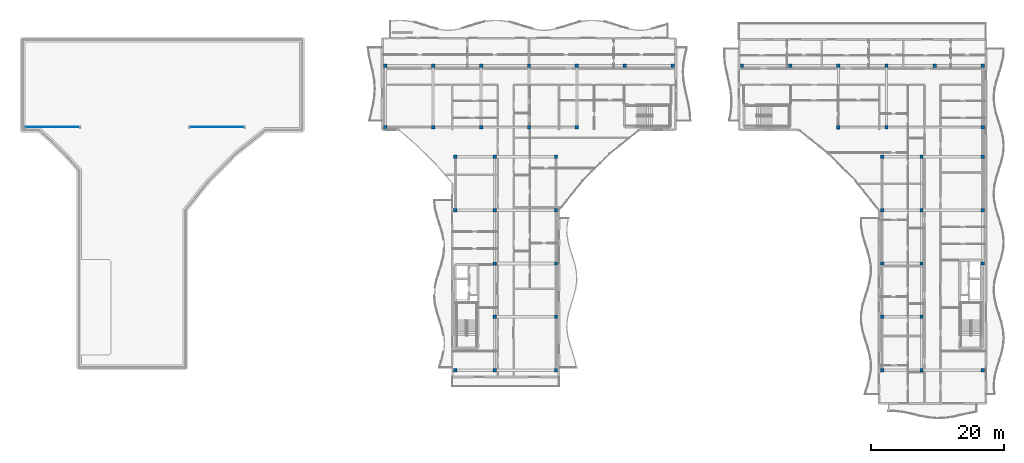
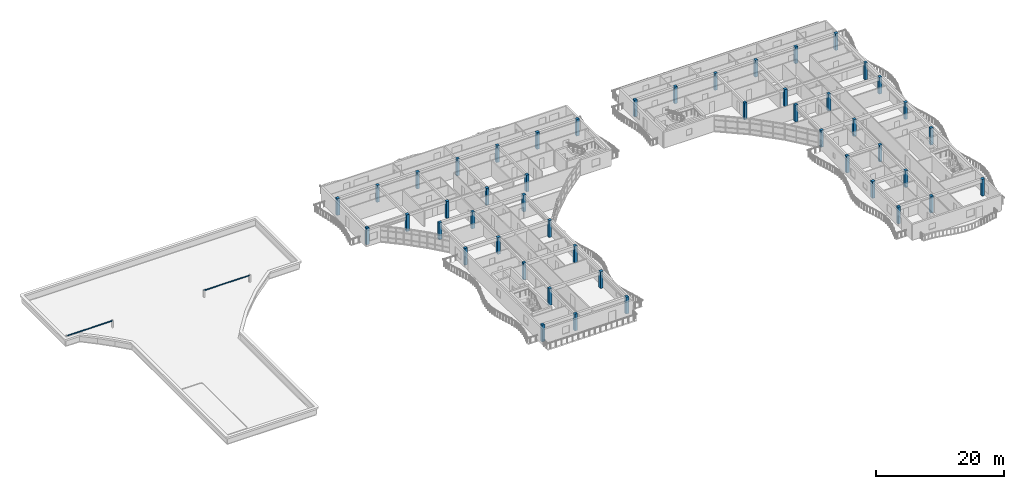
# One storey, part 2 of 39: 48 columns, 2 members.
"""IFC4 building model written with IfcOpenShell, lengths in metres."""

from ifc_helpers import new_model, si_unit, direction, frame, origin, origin_2d, place, context, subcontext, project, spatial, rectangle, hollow_rectangle, extrude, material, material_profile, profile_set, type_object, element, save


model = new_model("IFC4")

# Units and contexts
model_context = context("Model", 3, precision=1e-05, world=origin(), true_north=direction((0.0, 1.0)))
body_context = subcontext(model_context, "Body", "Model", "MODEL_VIEW")
ifc_project = project(units=[si_unit("LENGTHUNIT", "METRE"), si_unit("AREAUNIT", "SQUARE_METRE"), si_unit("VOLUMEUNIT", "CUBIC_METRE"), si_unit("PLANEANGLEUNIT", "RADIAN"), si_unit("MASSUNIT", "GRAM", prefix="KILO")], contexts=[model_context])

# Site, building, storey
site_placement = place(None, origin())
site = spatial("IfcSite", under=ifc_project, at=site_placement, CompositionType="ELEMENT")
building_placement = place(site_placement, origin())
building = spatial("IfcBuilding", under=site, at=building_placement, Name="Keldmere Railside Commons", CompositionType="ELEMENT")
storey_placement = place(building_placement, frame((0.0, 0.0, 32.9599609375)))
storey = spatial("IfcBuildingStorey", under=building, at=storey_placement, Name="L10", CompositionType="ELEMENT", Elevation=32.9599609375)

# Columns
ifc_material_1 = material(Name="Concrete H-35 (C35/45)", Category="concrete")
ifc_material_profile_1 = material_profile(ifc_material_1, rectangle(XDim=0.5, YDim=0.5, at=origin_2d()), Name="RC-500x500")
ifc_profile_set_1 = profile_set([ifc_material_profile_1], Name="Concrete H-35 (C35/45)")
column_type = type_object("IfcColumnType", Name="Upper Residential RC Column 500x500", PredefinedType="COLUMN", material=ifc_profile_set_1)
for number, where, z_axis, x_axis, name in (
    (1, (93.949951171875, 100.449951171875, 0.0), (0.0, 0.0, 1.0), (1.0, 0.0, 0.0), "C-500 COL-L10-0820"),
    (2, (93.949951171875, 109.64990234375, 0.0), (0.0, 0.0, 1.0), (1.0, 0.0, 0.0), "C-500 COL-L10-0834"),
    (3, (101.133056640625, 100.449951171875, 0.0), (0.0, 0.0, 1.0), (1.0, 0.0, 0.0), "C-500 COL-L10-0889"),
    (4, (101.133056640625, 109.64990234375, 0.0), (0.0, 0.0, 1.0), (1.0, 0.0, 0.0), "C-500 COL-L10-0903"),
    (5, (104.449951171875, 64.0, 0.0), (0.0, 0.0, 1.0), (1.0, 0.0, 0.0), "C-500 COL-L10-0940"),
    (6, (104.449951171875, 88.0, 0.0), (0.0, 0.0, 1.0), (1.0, 0.0, 0.0), "C-500 COL-L10-0952"),
    (7, (104.449951171875, 96.0, 0.0), (0.0, 0.0, 1.0), (1.0, 0.0, 0.0), "C-500 COL-L10-0965"),
    (8, (108.31689453125, 100.449951171875, 0.0), (0.0, 0.0, 1.0), (1.0, 0.0, 0.0), "C-500 COL-L10-0989"),
    (9, (108.31689453125, 109.64990234375, 0.0), (0.0, 0.0, 1.0), (1.0, 0.0, 0.0), "C-500 COL-L10-1003"),
    (10, (110.35009765625, 64.0, 0.0), (0.0, 0.0, 1.0), (1.0, 0.0, 0.0), "C-500 COL-L10-1034"),
    (11, (110.35009765625, 72.0, 0.0), (0.0, 0.0, 1.0), (1.0, 0.0, 0.0), "C-500 COL-L10-1046"),
    (12, (110.35009765625, 80.0, 0.0), (0.0, 0.0, 1.0), (1.0, 0.0, 0.0), "C-500 COL-L10-1059"),
    (13, (110.35009765625, 88.0, 0.0), (0.0, 0.0, 1.0), (1.0, 0.0, 0.0), "C-500 COL-L10-1072"),
    (14, (110.35009765625, 96.0, 0.0), (0.0, 0.0, 1.0), (1.0, 0.0, 0.0), "C-500 COL-L10-1085"),
    (15, (115.5, 100.449951171875, 0.0), (0.0, 0.0, 1.0), (1.0, 0.0, 0.0), "C-500 COL-L10-1106"),
    (16, (115.5, 109.64990234375, 0.0), (0.0, 0.0, 1.0), (1.0, 0.0, 0.0), "C-500 COL-L10-1120"),
    (17, (119.550048828125, 64.0, 0.0), (0.0, 0.0, 1.0), (1.0, 0.0, 0.0), "C-500 COL-L10-1151"),
    (18, (119.550048828125, 72.0, 0.0), (0.0, 0.0, 1.0), (1.0, 0.0, 0.0), "C-500 COL-L10-1163"),
    (19, (119.550048828125, 80.0, 0.0), (0.0, 0.0, 1.0), (1.0, 0.0, 0.0), "C-500 COL-L10-1176"),
    (20, (119.550048828125, 88.0, 0.0), (0.0, 0.0, 1.0), (1.0, 0.0, 0.0), "C-500 COL-L10-1189"),
    (21, (119.550048828125, 96.0, 0.0), (0.0, 0.0, 1.0), (1.0, 0.0, 0.0), "C-500 COL-L10-1202"),
    (22, (122.68310546875, 100.449951171875, 0.0), (0.0, 0.0, 1.0), (1.0, 0.0, 0.0), "C-500 COL-L10-1244"),
    (23, (122.68310546875, 109.64990234375, 0.0), (0.0, 0.0, 1.0), (1.0, 0.0, 0.0), "C-500 COL-L10-1258"),
    (24, (129.866943359375, 109.64990234375, 0.0), (0.0, 0.0, 1.0), (1.0, 0.0, 0.0), "C-500 COL-L10-1303"),
    (25, (137.050048828125, 109.64990234375, 0.0), (0.0, 0.0, 1.0), (1.0, 0.0, 0.0), "C-500 COL-L10-1353"),
    (26, (147.449951171875, 109.64990234375, 0.0), (0.0, 0.0, 1.0), (1.0, 0.0, 0.0), "C-500 COL-L10-1383"),
    (27, (154.669921875, 109.64990234375, 0.0), (0.0, 0.0, 1.0), (1.0, 0.0, 0.0), "C-500 COL-L10-1435"),
    (28, (161.889892578125, 100.449951171875, 0.0), (0.0, 0.0, 1.0), (1.0, 0.0, 0.0), "C-500 COL-L10-1488"),
    (29, (161.889892578125, 109.64990234375, 0.0), (0.0, 0.0, 1.0), (1.0, 0.0, 0.0), "C-500 COL-L10-1504"),
    (30, (168.449951171875, 64.0, 0.0), (0.0, 0.0, 1.0), (1.0, 0.0, 0.0), "C-500 COL-L10-1564"),
    (31, (168.449951171875, 72.0, 0.0), (0.0, 0.0, 1.0), (1.0, 0.0, 0.0), "C-500 COL-L10-1578"),
    (32, (168.449951171875, 80.0, 0.0), (0.0, 0.0, 1.0), (1.0, 0.0, 0.0), "C-500 COL-L10-1593"),
    (33, (168.449951171875, 88.0, 0.0), (0.0, 0.0, 1.0), (1.0, 0.0, 0.0), "C-500 COL-L10-1608"),
    (34, (168.449951171875, 96.0, 0.0), (0.0, 0.0, 1.0), (1.0, 0.0, 0.0), "C-500 COL-L10-1623"),
    (35, (169.110107421875, 100.449951171875, 0.0), (0.0, 0.0, 1.0), (1.0, 0.0, 0.0), "C-500 COL-L10-1638"),
    (36, (169.110107421875, 109.64990234375, 0.0), (0.0, 0.0, 1.0), (1.0, 0.0, 0.0), "C-500 COL-L10-1654"),
    (37, (174.35009765625, 64.0, 0.0), (0.0, 0.0, 1.0), (1.0, 0.0, 0.0), "C-500 COL-L10-1690"),
    (38, (174.35009765625, 72.0, 0.0), (0.0, 0.0, 1.0), (1.0, 0.0, 0.0), "C-500 COL-L10-1704"),
    (39, (174.35009765625, 80.0, 0.0), (0.0, 0.0, 1.0), (1.0, 0.0, 0.0), "C-500 COL-L10-1719"),
    (40, (174.35009765625, 88.0, 0.0), (0.0, 0.0, 1.0), (1.0, 0.0, 0.0), "C-500 COL-L10-1734"),
    (41, (174.35009765625, 96.0, 0.0), (0.0, 0.0, 1.0), (1.0, 0.0, 0.0), "C-500 COL-L10-1749"),
    (42, (176.330078125, 109.64990234375, 0.0), (0.0, 0.0, 1.0), (1.0, 0.0, 0.0), "C-500 COL-L10-1782"),
    (43, (183.550048828125, 64.0, 0.0), (0.0, 0.0, 1.0), (1.0, 0.0, 0.0), "C-500 COL-L10-1822"),
    (44, (183.550048828125, 80.0, 0.0), (0.0, 0.0, 1.0), (1.0, 0.0, 0.0), "C-500 COL-L10-1836"),
    (45, (183.550048828125, 88.0, 0.0), (0.0, 0.0, 1.0), (1.0, 0.0, 0.0), "C-500 COL-L10-1851"),
    (46, (183.550048828125, 96.0, 0.0), (0.0, 0.0, 1.0), (1.0, 0.0, 0.0), "C-500 COL-L10-1866"),
    (47, (183.550048828125, 100.449951171875, 0.0), (0.0, 0.0, 1.0), (1.0, 0.0, 0.0), "C-500 COL-L10-1881"),
    (48, (183.550048828125, 109.64990234375, 0.0), (0.0, 0.0, 1.0), (1.0, 0.0, 0.0), "C-500 COL-L10-1897"),
):
    element("IfcColumn", number, at=place(storey_placement, frame(where, z_axis=z_axis, x_axis=x_axis)), inside=storey, type_object=column_type, Name=name, PredefinedType="COLUMN", context=body_context, shape_type="SweptSolid", body=[
        extrude(rectangle(XDim=0.5, YDim=0.5, at=origin_2d()), origin(), (0.0, 0.0, 1.0), 3.199951171875),
    ])

# Members
ifc_material_2 = material(Name="Steel F-24 (S235)", Category="steel")
ifc_material_profile_2 = material_profile(ifc_material_2, hollow_rectangle(XDim=0.080078125, YDim=0.1201171875, WallThickness=0.006103515625, at=origin_2d()), Name="RHS-120x80x6")
ifc_profile_set_2 = profile_set([ifc_material_profile_2], Name="Steel F-24 (S235)")
member_type = type_object("IfcMemberType", Name="Roof Garden Trellis Purlin RHS120x80", PredefinedType="PURLIN", material=ifc_profile_set_2)
for number, where, z_axis, x_axis, name in (
    (49, (39.955078125, 100.449951171875, 1.419921875), (1.0, 0.0, 0.0), (0.0, 1.0, 0.0), "TRL-1 MEM-RTRL-1059"),
    (50, (64.614990234375, 100.449951171875, 1.419921875), (1.0, 0.0, 0.0), (0.0, 1.0, 0.0), "TRL-1 MEM-RTRL-1060"),
):
    element("IfcMember", number, at=place(storey_placement, frame(where, z_axis=z_axis, x_axis=x_axis)), inside=storey, type_object=member_type, Name=name, PredefinedType="PURLIN", context=body_context, shape_type="SweptSolid", body=[
        extrude(hollow_rectangle(XDim=0.080078125, YDim=0.1201171875, WallThickness=0.006103515625, at=origin_2d()), origin(), (0.0, 0.0, 1.0), 8.2099609375),
    ])

save(model, "model.ifc")
